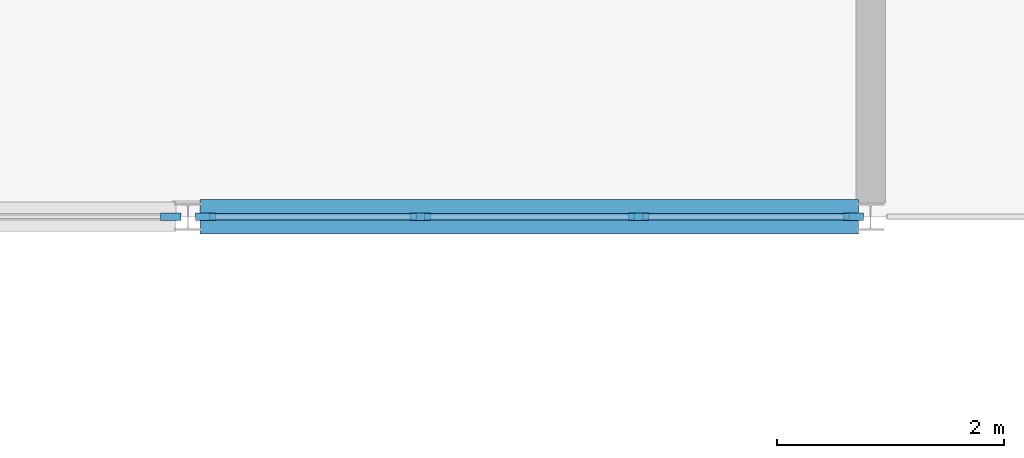
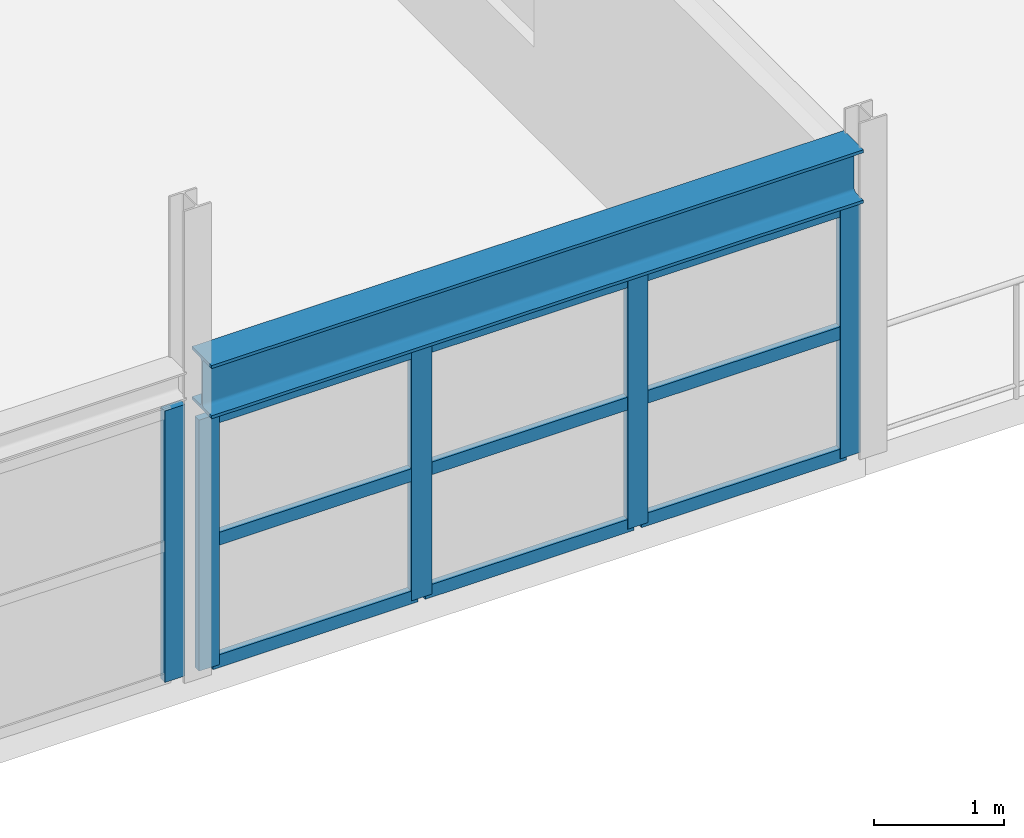
# One storey, part 59 of 137: 14 members, 1 beam, 2 elements without a shape of their own.
"""IFC4 building model written with IfcOpenShell, lengths in metres."""

from ifc_helpers import new_model, si_unit, direction, frame, origin, origin_2d, place, context, subcontext, project, spatial, rectangle, i_section, extrude, material, layer, layer_set, material_profile, profile_set, type_object, element, aggregate, save


model = new_model("IFC4")

# Units and contexts
model_context = context("Model", 3, precision=1e-05, world=origin(), true_north=direction((0.0, 1.0)))
body_context = subcontext(model_context, "Body", "Model", "MODEL_VIEW")
ifc_project = project(units=[si_unit("LENGTHUNIT", "METRE"), si_unit("AREAUNIT", "SQUARE_METRE"), si_unit("VOLUMEUNIT", "CUBIC_METRE"), si_unit("PLANEANGLEUNIT", "RADIAN"), si_unit("MASSUNIT", "GRAM", prefix="KILO"), si_unit("POWERUNIT", "WATT"), si_unit("THERMODYNAMICTEMPERATUREUNIT", "KELVIN")], contexts=[model_context])

# Site, building, storey
site_placement = place(None, origin())
site = spatial("IfcSite", under=ifc_project, at=site_placement, CompositionType="ELEMENT")
building_placement = place(site_placement, origin())
building = spatial("IfcBuilding", under=site, at=building_placement, Name="Ruvembo Vaulted Housing Court", CompositionType="ELEMENT")
storey_placement = place(building_placement, frame((0.0, 0.0, 4.5)))
storey = spatial("IfcBuildingStorey", under=building, at=storey_placement, Name="L01", CompositionType="ELEMENT", Elevation=4.5)

# Beam
ifc_material_1 = material(Name="Steel S355J2", Category="steel")
ifc_material_profile_1 = material_profile(ifc_material_1, i_section(OverallWidth=0.300048828125, OverallDepth=0.5, WebThickness=0.014404296875, FlangeThickness=0.028076171875, FilletRadius=0.027099609375, at=origin_2d()), Name="HEB 320")
ifc_profile_set_1 = profile_set([ifc_material_profile_1], Name="Steel S355J2")
beam_type = type_object("IfcBeamType", Name="BM-ST-HEB320", PredefinedType="BEAM", material=ifc_profile_set_1)
beam_placement = place(storey_placement, frame((162.10498046875, 6.0, 2.676025390625), z_axis=(1.0, 0.0, 0.0), x_axis=(0.0, 1.0, 0.0)))
element("IfcBeam", 1, at=beam_placement, inside=storey, type_object=beam_type, Name="L01 Grid Beam X #1153", PredefinedType="BEAM", context=body_context, shape_type="SweptSolid", body=[
    extrude(i_section(OverallWidth=0.300048828125, OverallDepth=0.5, WebThickness=0.014404296875, FlangeThickness=0.028076171875, FilletRadius=0.027099609375, at=origin_2d()), origin(), (0.0, 0.0, 1.0), 5.7900390625),
])

# Curtain wall, member
ifc_material_2 = material(Name="Anodised Aluminium and Solar-Control Glass", Category="aluminium")
ifc_layer = layer(ifc_material_2, 0.139892578125, Name="Anodised Aluminium and Solar-Control Glass")
ifc_layer_set = layer_set([ifc_layer], Name="Anodised Aluminium and Solar-Control Glass")
curtain_wall_type = type_object("IfcCurtainWallType", Name="CW-SHOPFRONT-U", PredefinedType="NOTDEFINED", material=ifc_layer_set)
curtain_wall_1_placement = place(storey_placement, origin())
curtain_wall_1 = element("IfcCurtainWall", 2, at=curtain_wall_1_placement, inside=storey, type_object=curtain_wall_type, Name="L01 Curtain Wall CW-L01-0146", PredefinedType="NOTDEFINED")
ifc_material_3 = material(Name="Anodised Aluminium 6063-T6", Category="aluminium")
ifc_material_profile_2 = material_profile(ifc_material_3, rectangle(XDim=0.06494140625, YDim=0.179931640625, at=origin_2d()), Name="ALU 65x180")
ifc_profile_set_2 = profile_set([ifc_material_profile_2], Name="Anodised Aluminium 6063-T6")
member_type_1 = type_object("IfcMemberType", Name="CW-MUL-65x180", PredefinedType="MULLION", material=ifc_profile_set_2)
member_1_placement = place(storey_placement, frame((161.847412109375, 6.0, 0.0), z_axis=(0.0, 0.0, 1.0), x_axis=(0.0, 1.0, 0.0)))
member_1 = element("IfcMember", 3, at=member_1_placement, type_object=member_type_1, Name="CW8 mullion 4", PredefinedType="MULLION", context=body_context, shape_type="SweptSolid", body=[
    extrude(rectangle(XDim=0.06494140625, YDim=0.179931640625, at=origin_2d()), origin(), (0.0, 0.0, 1.0), 2.550048828125),
])
aggregate(curtain_wall_1, [member_1])

# Curtain wall, members
curtain_wall_2_placement = place(storey_placement, origin())
curtain_wall_2 = element("IfcCurtainWall", 4, at=curtain_wall_2_placement, inside=storey, type_object=curtain_wall_type, Name="L01 Curtain Wall CW-L01-0150", PredefinedType="NOTDEFINED")
member_2_placement = place(storey_placement, frame((162.152587890625, 6.0, 0.0), z_axis=(0.0, 0.0, 1.0), x_axis=(0.0, 1.0, 0.0)))
member_2 = element("IfcMember", 5, at=member_2_placement, type_object=member_type_1, Name="CW8 mullion 1", PredefinedType="MULLION", context=body_context, shape_type="SweptSolid", body=[
    extrude(rectangle(XDim=0.06494140625, YDim=0.179931640625, at=origin_2d()), origin(), (0.0, 0.0, 1.0), 2.35791015625),
])
member_3_placement = place(storey_placement, frame((164.0400390625, 6.0, 0.0), z_axis=(0.0, 0.0, 1.0), x_axis=(0.0, 1.0, 0.0)))
member_3 = element("IfcMember", 6, at=member_3_placement, type_object=member_type_1, Name="CW8 mullion 2", PredefinedType="MULLION", context=body_context, shape_type="SweptSolid", body=[
    extrude(rectangle(XDim=0.06494140625, YDim=0.179931640625, at=origin_2d()), origin(), (0.0, 0.0, 1.0), 2.35791015625),
])
member_4_placement = place(storey_placement, frame((165.9599609375, 6.0, 0.0), z_axis=(0.0, 0.0, 1.0), x_axis=(0.0, 1.0, 0.0)))
member_4 = element("IfcMember", 7, at=member_4_placement, type_object=member_type_1, Name="CW8 mullion 3", PredefinedType="MULLION", context=body_context, shape_type="SweptSolid", body=[
    extrude(rectangle(XDim=0.06494140625, YDim=0.179931640625, at=origin_2d()), origin(), (0.0, 0.0, 1.0), 2.35791015625),
])
member_5_placement = place(storey_placement, frame((167.847412109375, 6.0, 0.0), z_axis=(0.0, 0.0, 1.0), x_axis=(0.0, 1.0, 0.0)))
member_5 = element("IfcMember", 8, at=member_5_placement, type_object=member_type_1, Name="CW8 mullion 4", PredefinedType="MULLION", context=body_context, shape_type="SweptSolid", body=[
    extrude(rectangle(XDim=0.06494140625, YDim=0.179931640625, at=origin_2d()), origin(), (0.0, 0.0, 1.0), 2.35791015625),
])
ifc_material_profile_3 = material_profile(ifc_material_3, rectangle(XDim=0.06005859375, YDim=0.1201171875, at=origin_2d()), Name="ALU 60x120")
ifc_profile_set_3 = profile_set([ifc_material_profile_3], Name="Anodised Aluminium 6063-T6")
member_type_2 = type_object("IfcMemberType", Name="CW-TRANSOM-65x120", PredefinedType="USERDEFINED", material=ifc_profile_set_3)
member_6_placement = place(storey_placement, frame((162.18505859375, 6.0, 0.030029296875), z_axis=(1.0, 0.0, 0.0), x_axis=(0.0, 1.0, 0.0)))
member_6 = element("IfcMember", 9, at=member_6_placement, type_object=member_type_2, Name="CW8 transom 1.1", ObjectType="TRANSOM", PredefinedType="USERDEFINED", context=body_context, shape_type="SweptSolid", body=[
    extrude(rectangle(XDim=0.06005859375, YDim=0.1201171875, at=origin_2d()), origin(), (0.0, 0.0, 1.0), 1.822509765625),
])
member_7_placement = place(storey_placement, frame((162.18505859375, 6.0, 1.178955078125), z_axis=(1.0, 0.0, 0.0), x_axis=(0.0, 1.0, 0.0)))
member_7 = element("IfcMember", 10, at=member_7_placement, type_object=member_type_2, Name="CW8 transom 1.2", ObjectType="TRANSOM", PredefinedType="USERDEFINED", context=body_context, shape_type="SweptSolid", body=[
    extrude(rectangle(XDim=0.06005859375, YDim=0.1201171875, at=origin_2d()), origin(), (0.0, 0.0, 1.0), 1.822509765625),
])
member_8_placement = place(storey_placement, frame((162.18505859375, 6.0, 2.327880859375), z_axis=(1.0, 0.0, 0.0), x_axis=(0.0, 1.0, 0.0)))
member_8 = element("IfcMember", 11, at=member_8_placement, type_object=member_type_2, Name="CW8 transom 1.3", ObjectType="TRANSOM", PredefinedType="USERDEFINED", context=body_context, shape_type="SweptSolid", body=[
    extrude(rectangle(XDim=0.06005859375, YDim=0.1201171875, at=origin_2d()), origin(), (0.0, 0.0, 1.0), 1.822509765625),
])
member_9_placement = place(storey_placement, frame((164.072509765625, 6.0, 0.030029296875), z_axis=(1.0, 0.0, 0.0), x_axis=(0.0, 1.0, 0.0)))
member_9 = element("IfcMember", 12, at=member_9_placement, type_object=member_type_2, Name="CW8 transom 2.1", ObjectType="TRANSOM", PredefinedType="USERDEFINED", context=body_context, shape_type="SweptSolid", body=[
    extrude(rectangle(XDim=0.06005859375, YDim=0.1201171875, at=origin_2d()), origin(), (0.0, 0.0, 1.0), 1.85498046875),
])
member_10_placement = place(storey_placement, frame((164.072509765625, 6.0, 1.178955078125), z_axis=(1.0, 0.0, 0.0), x_axis=(0.0, 1.0, 0.0)))
member_10 = element("IfcMember", 13, at=member_10_placement, type_object=member_type_2, Name="CW8 transom 2.2", ObjectType="TRANSOM", PredefinedType="USERDEFINED", context=body_context, shape_type="SweptSolid", body=[
    extrude(rectangle(XDim=0.06005859375, YDim=0.1201171875, at=origin_2d()), origin(), (0.0, 0.0, 1.0), 1.85498046875),
])
member_11_placement = place(storey_placement, frame((164.072509765625, 6.0, 2.327880859375), z_axis=(1.0, 0.0, 0.0), x_axis=(0.0, 1.0, 0.0)))
member_11 = element("IfcMember", 14, at=member_11_placement, type_object=member_type_2, Name="CW8 transom 2.3", ObjectType="TRANSOM", PredefinedType="USERDEFINED", context=body_context, shape_type="SweptSolid", body=[
    extrude(rectangle(XDim=0.06005859375, YDim=0.1201171875, at=origin_2d()), origin(), (0.0, 0.0, 1.0), 1.85498046875),
])
member_12_placement = place(storey_placement, frame((165.992431640625, 6.0, 0.030029296875), z_axis=(1.0, 0.0, 0.0), x_axis=(0.0, 1.0, 0.0)))
member_12 = element("IfcMember", 15, at=member_12_placement, type_object=member_type_2, Name="CW8 transom 3.1", ObjectType="TRANSOM", PredefinedType="USERDEFINED", context=body_context, shape_type="SweptSolid", body=[
    extrude(rectangle(XDim=0.06005859375, YDim=0.1201171875, at=origin_2d()), origin(), (0.0, 0.0, 1.0), 1.822509765625),
])
member_13_placement = place(storey_placement, frame((165.992431640625, 6.0, 1.178955078125), z_axis=(1.0, 0.0, 0.0), x_axis=(0.0, 1.0, 0.0)))
member_13 = element("IfcMember", 16, at=member_13_placement, type_object=member_type_2, Name="CW8 transom 3.2", ObjectType="TRANSOM", PredefinedType="USERDEFINED", context=body_context, shape_type="SweptSolid", body=[
    extrude(rectangle(XDim=0.06005859375, YDim=0.1201171875, at=origin_2d()), origin(), (0.0, 0.0, 1.0), 1.822509765625),
])
member_14_placement = place(storey_placement, frame((165.992431640625, 6.0, 2.327880859375), z_axis=(1.0, 0.0, 0.0), x_axis=(0.0, 1.0, 0.0)))
member_14 = element("IfcMember", 17, at=member_14_placement, type_object=member_type_2, Name="CW8 transom 3.3", ObjectType="TRANSOM", PredefinedType="USERDEFINED", context=body_context, shape_type="SweptSolid", body=[
    extrude(rectangle(XDim=0.06005859375, YDim=0.1201171875, at=origin_2d()), origin(), (0.0, 0.0, 1.0), 1.822509765625),
])
aggregate(curtain_wall_2, [member_2, member_3, member_4, member_5, member_6, member_7, member_8, member_9, member_10, member_11, member_12, member_13, member_14])

save(model, "model.ifc")
